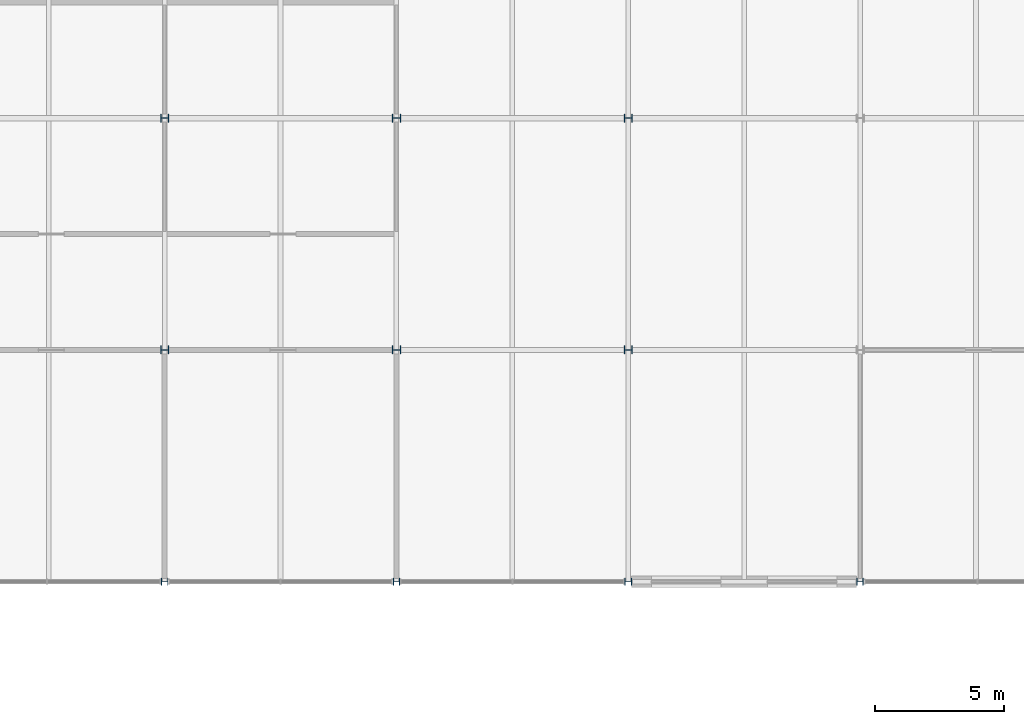
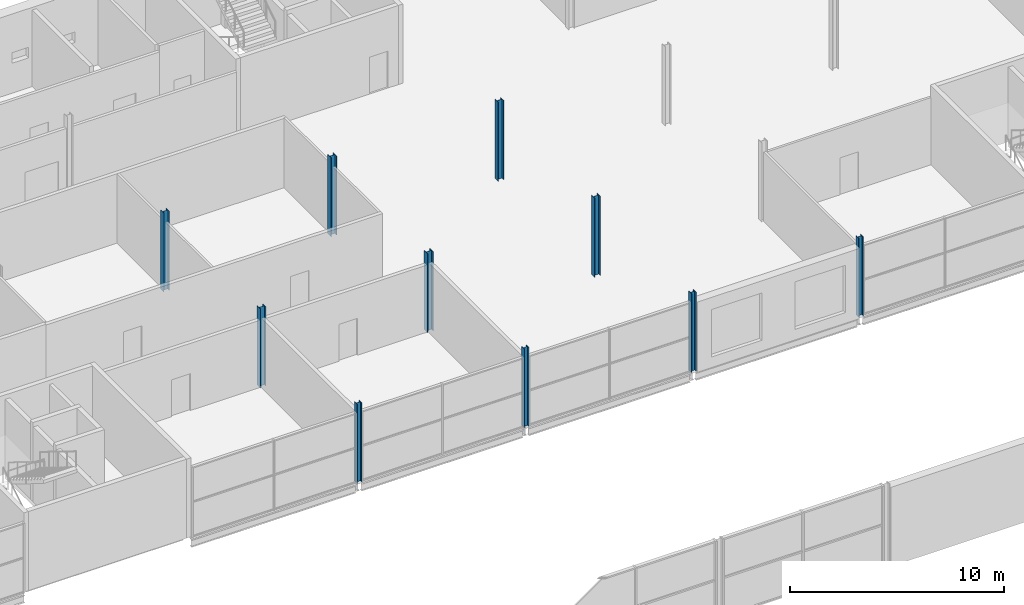
# One storey, part 10 of 97: 10 columns.
"""IFC4 building model written with IfcOpenShell, lengths in metres."""

from ifc_helpers import new_model, si_unit, direction, frame, origin, origin_2d, place, context, subcontext, project, spatial, i_section, extrude, material, material_profile, profile_set, type_object, element, save


model = new_model("IFC4")

# Units and contexts
model_context = context("Model", 3, precision=1e-05, world=origin(), true_north=direction((0.0, 1.0)))
body_context = subcontext(model_context, "Body", "Model", "MODEL_VIEW")
ifc_project = project(units=[si_unit("LENGTHUNIT", "METRE"), si_unit("AREAUNIT", "SQUARE_METRE"), si_unit("VOLUMEUNIT", "CUBIC_METRE"), si_unit("PLANEANGLEUNIT", "RADIAN"), si_unit("MASSUNIT", "GRAM", prefix="KILO")], contexts=[model_context])

# Site, building, storey
site_placement = place(None, origin())
site = spatial("IfcSite", under=ifc_project, at=site_placement, CompositionType="ELEMENT")
building_placement = place(site_placement, origin())
building = spatial("IfcBuilding", under=site, at=building_placement, Name="Corbel Yard City Hall", CompositionType="ELEMENT")
storey_placement = place(building_placement, frame((0.0, 0.0, 6.0)))
storey = spatial("IfcBuildingStorey", under=building, at=storey_placement, Name="L01", CompositionType="ELEMENT", Elevation=6.0)

# Columns
ifc_material = material(Name="Steel Grade 300 (300 MPa yield)", Category="steel")
ifc_material_profile_1 = material_profile(ifc_material, i_section(OverallWidth=0.256103515625, OverallDepth=0.260009765625, WebThickness=0.010498046875, FlangeThickness=0.017333984375, at=origin_2d()), Name="250UC89.5")
ifc_profile_set_1 = profile_set([ifc_material_profile_1], Name="Steel Grade 300 (300 MPa yield)")
column_type_1 = type_object("IfcColumnType", Name="Column 250UC89.5", PredefinedType="COLUMN", material=ifc_profile_set_1)
for number, where, z_axis, x_axis, name in (
    (1, (72.0, 45.0, 0.0), (0.0, 0.0, 1.0), (0.0, 1.0, 0.0), "Column 250UC89.5 F/9 L01"),
    (2, (81.0, 45.0, 0.0), (0.0, 0.0, 1.0), (0.0, 1.0, 0.0), "Column 250UC89.5 F/10 L01"),
    (3, (90.0, 45.0, 0.0), (0.0, 0.0, 1.0), (0.0, 1.0, 0.0), "Column 250UC89.5 F/11 L01"),
    (4, (99.0, 45.0, 0.0), (0.0, 0.0, 1.0), (0.0, 1.0, 0.0), "Column 250UC89.5 F/12 L01"),
):
    element("IfcColumn", number, at=place(storey_placement, frame(where, z_axis=z_axis, x_axis=x_axis)), inside=storey, type_object=column_type_1, Name=name, PredefinedType="COLUMN", context=body_context, shape_type="SweptSolid", body=[
        extrude(i_section(OverallWidth=0.256103515625, OverallDepth=0.260009765625, WebThickness=0.010498046875, FlangeThickness=0.017333984375, at=origin_2d()), origin(), (0.0, 0.0, 1.0), 4.5),
    ])
ifc_material_profile_2 = material_profile(ifc_material, i_section(OverallWidth=0.306884765625, OverallDepth=0.31494140625, WebThickness=0.011962890625, FlangeThickness=0.018798828125, at=origin_2d()), Name="310UC118")
ifc_profile_set_2 = profile_set([ifc_material_profile_2], Name="Steel Grade 300 (300 MPa yield)")
column_type_2 = type_object("IfcColumnType", Name="Column 310UC118", PredefinedType="COLUMN", material=ifc_profile_set_2)
for number, where, z_axis, x_axis, name in (
    (5, (72.0, 54.0, 0.0), (0.0, 0.0, 1.0), (0.0, 1.0, 0.0), "Column 310UC118 G/9 L01"),
    (6, (72.0, 63.0, 0.0), (0.0, 0.0, 1.0), (0.0, 1.0, 0.0), "Column 310UC118 H/9 L01"),
    (7, (81.0, 54.0, 0.0), (0.0, 0.0, 1.0), (0.0, 1.0, 0.0), "Column 310UC118 G/10 L01"),
    (8, (81.0, 63.0, 0.0), (0.0, 0.0, 1.0), (0.0, 1.0, 0.0), "Column 310UC118 H/10 L01"),
    (9, (90.0, 54.0, 0.0), (0.0, 0.0, 1.0), (0.0, 1.0, 0.0), "Column 310UC118 G/11 L01"),
    (10, (90.0, 63.0, 0.0), (0.0, 0.0, 1.0), (0.0, 1.0, 0.0), "Column 310UC118 H/11 L01"),
):
    element("IfcColumn", number, at=place(storey_placement, frame(where, z_axis=z_axis, x_axis=x_axis)), inside=storey, type_object=column_type_2, Name=name, PredefinedType="COLUMN", context=body_context, shape_type="SweptSolid", body=[
        extrude(i_section(OverallWidth=0.306884765625, OverallDepth=0.31494140625, WebThickness=0.011962890625, FlangeThickness=0.018798828125, at=origin_2d()), origin(), (0.0, 0.0, 1.0), 4.5),
    ])

save(model, "model.ifc")
